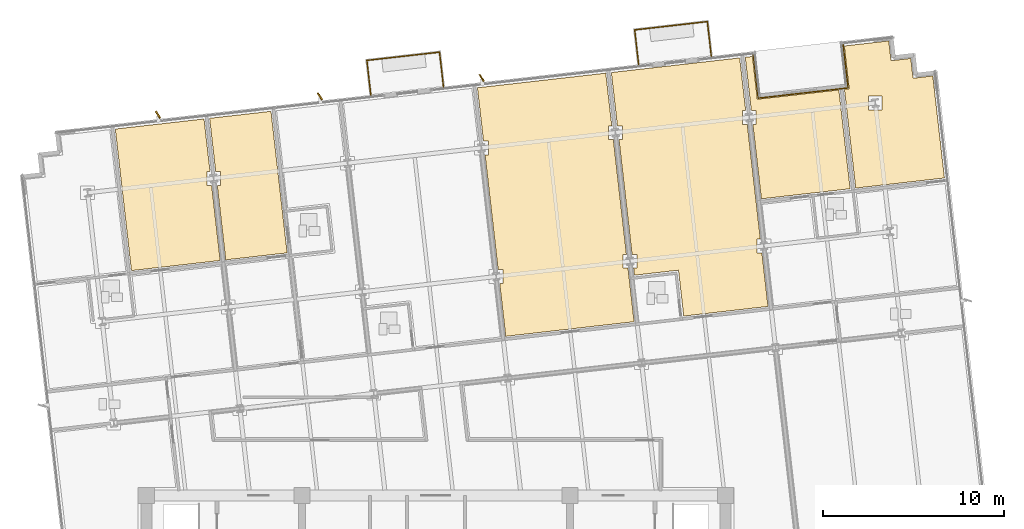
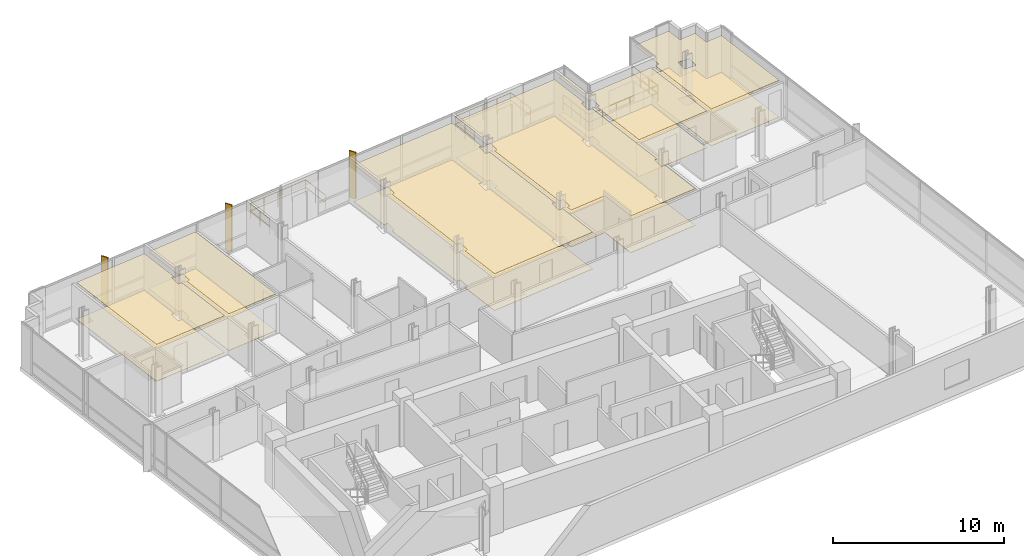
# One storey, part 15 of 16: 12 coverings, 9 railings, 3 shading devices.
"""IFC4 building model written with IfcOpenShell, lengths in metres."""

from ifc_helpers import new_model, si_unit, direction, frame, origin, origin_2d, place, context, subcontext, project, spatial, polyline, rectangle, circle, outline, extrude, material, layer, layer_set, type_object, element, save


model = new_model("IFC4")

# Units and contexts
model_context = context("Model", 3, precision=1e-05, world=origin(), true_north=direction((0.0, 1.0)))
body_context = subcontext(model_context, "Body", "Model", "MODEL_VIEW")
ifc_project = project(units=[si_unit("LENGTHUNIT", "METRE"), si_unit("AREAUNIT", "SQUARE_METRE"), si_unit("VOLUMEUNIT", "CUBIC_METRE"), si_unit("PLANEANGLEUNIT", "RADIAN"), si_unit("MASSUNIT", "GRAM", prefix="KILO")], contexts=[model_context])

# Site, building, storey
site_placement = place(None, origin())
site = spatial("IfcSite", under=ifc_project, at=site_placement, CompositionType="ELEMENT")
building_placement = place(site_placement, origin())
building = spatial("IfcBuilding", under=site, at=building_placement, Name="Solmavex Isthmus Hotel", CompositionType="ELEMENT")
storey_placement = place(building_placement, frame((0.0, 0.0, 219.300048828125)))
storey = spatial("IfcBuildingStorey", under=building, at=storey_placement, Name="L59", CompositionType="ELEMENT", Elevation=219.300048828125)

# Coverings
ifc_material_1 = material(Name="Gypsum plasterboard lining", Category="gypsum")
ifc_layer_1 = layer(ifc_material_1, 0.030029296875)
ifc_layer_set_1 = layer_set([ifc_layer_1], Name="Gypsum plasterboard lining")
covering_type_1 = type_object("IfcCoveringType", Name="COV-CEIL-GYP", PredefinedType="CEILING", material=ifc_layer_set_1)
covering_1_placement = place(storey_placement, frame((0.0, 0.0, 2.619873046875)))
element("IfcCovering", 1, at=covering_1_placement, inside=storey, type_object=covering_type_1, Name="Suspended Acoustic Ceiling L59-TL01", PredefinedType="CEILING", context=body_context, shape_type="SweptSolid", body=[
    extrude(outline(polyline([(-12.395751953125, 14.638427734375), (-12.6630859375, 14.638427734375), (-12.6630859375, 15.3984375), (-12.482421875, 15.3984375), (-12.8134765625, 18.304443359375), (-17.715576171875, 17.745849609375), (-16.824462890625, 9.924560546875), (-11.92236328125, 10.483154296875), (-12.395751953125, 14.638427734375)])), origin(), (0.0, 0.0, 1.0), 0.030029296875),
])
covering_2_placement = place(storey_placement, frame((0.0, 0.0, 2.619873046875)))
element("IfcCovering", 2, at=covering_2_placement, inside=storey, type_object=covering_type_1, Name="Suspended Acoustic Ceiling L59-SL02-BD", PredefinedType="CEILING", context=body_context, shape_type="SweptSolid", body=[
    extrude(outline(polyline([(-12.17041015625, 15.3984375), (-11.903076171875, 15.3984375), (-11.903076171875, 14.638427734375), (-12.083740234375, 14.638427734375), (-11.6142578125, 10.51806640625), (-8.22314453125, 10.904541015625), (-9.1142578125, 18.725830078125), (-12.50537109375, 18.339599609375), (-12.17041015625, 15.3984375)])), origin(), (0.0, 0.0, 1.0), 0.030029296875),
])
covering_3_placement = place(storey_placement, frame((0.0, 0.0, 2.619873046875)))
element("IfcCovering", 3, at=covering_3_placement, inside=storey, type_object=covering_type_1, Name="Suspended Acoustic Ceiling L59-RM04", PredefinedType="CEILING", context=body_context, shape_type="SweptSolid", body=[
    extrude(outline(polyline([(3.435546875, 9.978271484375), (3.702880859375, 9.978271484375), (3.702880859375, 9.21826171875), (3.522216796875, 9.21826171875), (3.855224609375, 6.294189453125), (10.945556640625, 7.10205078125), (10.6083984375, 10.06103515625), (10.341064453125, 10.06103515625), (10.341064453125, 10.821044921875), (10.521728515625, 10.821044921875), (9.798583984375, 17.167236328125), (9.531494140625, 17.167236328125), (9.531494140625, 17.92724609375), (9.712158203125, 17.92724609375), (9.381103515625, 20.833251953125), (2.290771484375, 20.025390625), (2.6259765625, 17.084228515625), (2.893310546875, 17.084228515625), (2.893310546875, 16.32421875), (2.712646484375, 16.32421875), (3.435546875, 9.978271484375)])), origin(), (0.0, 0.0, 1.0), 0.030029296875),
])
covering_4_placement = place(storey_placement, frame((0.0, 0.0, 2.619873046875)))
element("IfcCovering", 4, at=covering_4_placement, inside=storey, type_object=covering_type_1, Name="Suspended Acoustic Ceiling L59-RM05", PredefinedType="CEILING", context=body_context, shape_type="SweptSolid", body=[
    extrude(outline(polyline([(10.833740234375, 10.821044921875), (11.10107421875, 10.821044921875), (11.10107421875, 10.06103515625), (10.92041015625, 10.06103515625), (10.96484375, 9.670654296875), (13.399169921875, 9.947998046875), (13.687744140625, 7.41455078125), (18.343505859375, 7.945068359375), (18.006591796875, 10.904052734375), (17.7392578125, 10.904052734375), (17.7392578125, 11.6640625), (17.919921875, 11.6640625), (17.19677734375, 18.010009765625), (16.929443359375, 18.010009765625), (16.929443359375, 18.77001953125), (17.1103515625, 18.77001953125), (16.779052734375, 21.676025390625), (9.68896484375, 20.868408203125), (10.024169921875, 17.92724609375), (10.29150390625, 17.92724609375), (10.29150390625, 17.167236328125), (10.110595703125, 17.167236328125), (10.833740234375, 10.821044921875)])), origin(), (0.0, 0.0, 1.0), 0.030029296875),
])
covering_5_placement = place(storey_placement, frame((0.0, 0.0, 2.619873046875)))
element("IfcCovering", 5, at=covering_5_placement, inside=storey, type_object=covering_type_1, Name="Suspended Acoustic Ceiling L59-TB06", PredefinedType="CEILING", context=body_context, shape_type="SweptSolid", body=[
    extrude(outline(polyline([(17.42236328125, 18.77001953125), (17.689453125, 18.77001953125), (17.689453125, 18.010009765625), (17.5087890625, 18.010009765625), (17.978271484375, 13.889892578125), (22.880615234375, 14.4482421875), (22.2587890625, 19.905029296875), (17.751953125, 19.3916015625), (17.482666015625, 21.75634765625), (17.087158203125, 21.711181640625), (17.42236328125, 18.77001953125)])), origin(), (0.0, 0.0, 1.0), 0.030029296875),
])
covering_6_placement = place(storey_placement, frame((0.0, 0.0, 2.619873046875)))
element("IfcCovering", 6, at=covering_6_placement, inside=storey, type_object=covering_type_1, Name="Suspended Acoustic Ceiling L59-TL06", PredefinedType="CEILING", context=body_context, shape_type="SweptSolid", body=[
    extrude(outline(polyline([(22.559814453125, 22.334716796875), (22.8291015625, 19.969970703125), (22.56689453125, 19.940185546875), (23.1884765625, 14.4833984375), (28.0908203125, 15.0419921875), (27.542236328125, 19.85791015625), (27.44873046875, 20.677490234375), (26.35595703125, 20.552978515625), (26.231201171875, 21.64599609375), (25.138427734375, 21.521484375), (25.013916015625, 22.6142578125), (24.194091796875, 22.52099609375), (22.559814453125, 22.334716796875)]), holes=[polyline([(23.892578125, 19.5634765625), (24.652587890625, 19.5634765625), (24.652587890625, 18.803466796875), (23.892578125, 18.803466796875), (23.892578125, 19.5634765625)])]), origin(), (0.0, 0.0, 1.0), 0.030029296875),
])
ifc_material_2 = material(Name="Travertine natural stone", Category="masonry")
ifc_layer_2 = layer(ifc_material_2, 0.02490234375)
ifc_layer_set_2 = layer_set([ifc_layer_2], Name="Travertine natural stone")
covering_type_2 = type_object("IfcCoveringType", Name="COV-FLOR-STN", PredefinedType="FLOORING", material=ifc_layer_set_2)
covering_7_placement = place(storey_placement, origin())
element("IfcCovering", 7, at=covering_7_placement, inside=storey, type_object=covering_type_2, Name="Stone and Timber Floor Finish L59-TL01", PredefinedType="FLOORING", context=body_context, shape_type="SweptSolid", body=[
    extrude(outline(polyline([(-12.395751953125, 14.638427734375), (-12.6630859375, 14.638427734375), (-12.6630859375, 15.3984375), (-12.482421875, 15.3984375), (-12.8134765625, 18.304443359375), (-17.715576171875, 17.745849609375), (-16.824462890625, 9.924560546875), (-11.92236328125, 10.483154296875), (-12.395751953125, 14.638427734375)])), origin(), (0.0, 0.0, 1.0), 0.02490234375),
])
covering_8_placement = place(storey_placement, origin())
element("IfcCovering", 8, at=covering_8_placement, inside=storey, type_object=covering_type_2, Name="Stone and Timber Floor Finish L59-SL02-BD", PredefinedType="FLOORING", context=body_context, shape_type="SweptSolid", body=[
    extrude(outline(polyline([(-12.17041015625, 15.3984375), (-11.903076171875, 15.3984375), (-11.903076171875, 14.638427734375), (-12.083740234375, 14.638427734375), (-11.6142578125, 10.51806640625), (-8.22314453125, 10.904541015625), (-9.1142578125, 18.725830078125), (-12.50537109375, 18.339599609375), (-12.17041015625, 15.3984375)])), origin(), (0.0, 0.0, 1.0), 0.02490234375),
])
covering_9_placement = place(storey_placement, origin())
element("IfcCovering", 9, at=covering_9_placement, inside=storey, type_object=covering_type_2, Name="Stone and Timber Floor Finish L59-RM04", PredefinedType="FLOORING", context=body_context, shape_type="SweptSolid", body=[
    extrude(outline(polyline([(3.435546875, 9.978271484375), (3.702880859375, 9.978271484375), (3.702880859375, 9.21826171875), (3.522216796875, 9.21826171875), (3.855224609375, 6.294189453125), (10.945556640625, 7.10205078125), (10.6083984375, 10.06103515625), (10.341064453125, 10.06103515625), (10.341064453125, 10.821044921875), (10.521728515625, 10.821044921875), (9.798583984375, 17.167236328125), (9.531494140625, 17.167236328125), (9.531494140625, 17.92724609375), (9.712158203125, 17.92724609375), (9.381103515625, 20.833251953125), (2.290771484375, 20.025390625), (2.6259765625, 17.084228515625), (2.893310546875, 17.084228515625), (2.893310546875, 16.32421875), (2.712646484375, 16.32421875), (3.435546875, 9.978271484375)])), origin(), (0.0, 0.0, 1.0), 0.02490234375),
])
covering_10_placement = place(storey_placement, origin())
element("IfcCovering", 10, at=covering_10_placement, inside=storey, type_object=covering_type_2, Name="Stone and Timber Floor Finish L59-RM05", PredefinedType="FLOORING", context=body_context, shape_type="SweptSolid", body=[
    extrude(outline(polyline([(10.833740234375, 10.821044921875), (11.10107421875, 10.821044921875), (11.10107421875, 10.06103515625), (10.92041015625, 10.06103515625), (10.96484375, 9.670654296875), (13.399169921875, 9.947998046875), (13.687744140625, 7.41455078125), (18.343505859375, 7.945068359375), (18.006591796875, 10.904052734375), (17.7392578125, 10.904052734375), (17.7392578125, 11.6640625), (17.919921875, 11.6640625), (17.19677734375, 18.010009765625), (16.929443359375, 18.010009765625), (16.929443359375, 18.77001953125), (17.1103515625, 18.77001953125), (16.779052734375, 21.676025390625), (9.68896484375, 20.868408203125), (10.024169921875, 17.92724609375), (10.29150390625, 17.92724609375), (10.29150390625, 17.167236328125), (10.110595703125, 17.167236328125), (10.833740234375, 10.821044921875)])), origin(), (0.0, 0.0, 1.0), 0.02490234375),
])
covering_11_placement = place(storey_placement, origin())
element("IfcCovering", 11, at=covering_11_placement, inside=storey, type_object=covering_type_2, Name="Stone and Timber Floor Finish L59-TB06", PredefinedType="FLOORING", context=body_context, shape_type="SweptSolid", body=[
    extrude(outline(polyline([(17.42236328125, 18.77001953125), (17.689453125, 18.77001953125), (17.689453125, 18.010009765625), (17.5087890625, 18.010009765625), (17.978271484375, 13.889892578125), (22.880615234375, 14.4482421875), (22.2587890625, 19.905029296875), (17.751953125, 19.3916015625), (17.482666015625, 21.75634765625), (17.087158203125, 21.711181640625), (17.42236328125, 18.77001953125)])), origin(), (0.0, 0.0, 1.0), 0.02490234375),
])
covering_12_placement = place(storey_placement, origin())
element("IfcCovering", 12, at=covering_12_placement, inside=storey, type_object=covering_type_2, Name="Stone and Timber Floor Finish L59-TL06", PredefinedType="FLOORING", context=body_context, shape_type="SweptSolid", body=[
    extrude(outline(polyline([(22.559814453125, 22.334716796875), (22.8291015625, 19.969970703125), (22.56689453125, 19.940185546875), (23.1884765625, 14.4833984375), (28.0908203125, 15.0419921875), (27.542236328125, 19.85791015625), (27.44873046875, 20.677490234375), (26.35595703125, 20.552978515625), (26.231201171875, 21.64599609375), (25.138427734375, 21.521484375), (25.013916015625, 22.6142578125), (24.194091796875, 22.52099609375), (22.559814453125, 22.334716796875)]), holes=[polyline([(23.892578125, 19.5634765625), (24.652587890625, 19.5634765625), (24.652587890625, 18.803466796875), (23.892578125, 18.803466796875), (23.892578125, 19.5634765625)])]), origin(), (0.0, 0.0, 1.0), 0.02490234375),
])

# Railings
ifc_material_3 = material(Name="Clear low-E laminated glass", Category="glass")
ifc_layer_3 = layer(ifc_material_3, 0.080078125)
ifc_layer_set_3 = layer_set([ifc_layer_3], Name="Clear low-E laminated glass")
railing_type_1 = type_object("IfcRailingType", Name="RAIL-ATRIUM-1120", PredefinedType="BALUSTRADE", material=ifc_layer_set_3)
railing_1_placement = place(storey_placement, frame((17.51513671875, 21.956298828125, 0.0)))
element("IfcRailing", 13, at=railing_1_placement, inside=storey, type_object=railing_type_1, Name="Guardrail Balustrade L59-SGV-01", PredefinedType="BALUSTRADE", context=body_context, shape_type="SweptSolid", body=[
    extrude(circle(Radius=0.02392578125, at=origin_2d()), frame((0.0, 0.0, 1.1259765625), z_axis=(0.113248774357, -0.993566663645, 0.0), x_axis=(0.993566663645, 0.113248774357, 0.0)), (0.0, 0.0, 1.0), 2.52001953125),
    extrude(circle(Radius=0.02392578125, at=origin_2d()), frame((0.0, 0.0, 0.574951171875), z_axis=(0.113248774357, -0.993566663645, 0.0), x_axis=(0.993566663645, 0.113248774357, 0.0)), (0.0, 0.0, 1.0), 2.52001953125),
    extrude(circle(Radius=0.02099609375, at=origin_2d()), origin(), (0.0, 0.0, 1.0), 1.101806640625),
    extrude(circle(Radius=0.02099609375, at=origin_2d()), frame((0.09521484375, -0.834716796875, 0.0)), (0.0, 0.0, 1.0), 1.101806640625),
    extrude(circle(Radius=0.02099609375, at=origin_2d()), frame((0.190185546875, -1.669189453125, 0.0)), (0.0, 0.0, 1.0), 1.101806640625),
    extrude(circle(Radius=0.02099609375, at=origin_2d()), frame((0.285400390625, -2.50390625, 0.0)), (0.0, 0.0, 1.0), 1.101806640625),
])
railing_2_placement = place(storey_placement, frame((17.800537109375, 19.452392578125, 0.0)))
element("IfcRailing", 14, at=railing_2_placement, inside=storey, type_object=railing_type_1, Name="Guardrail Balustrade L59-SGV-02", PredefinedType="BALUSTRADE", context=body_context, shape_type="SweptSolid", body=[
    extrude(circle(Radius=0.02392578125, at=origin_2d()), frame((0.0, 0.0, 1.1259765625), z_axis=(0.993568349945, 0.113233978943, 0.0), x_axis=(-0.113233978943, 0.993568349945, 0.0)), (0.0, 0.0, 1.0), 5.0),
    extrude(circle(Radius=0.02392578125, at=origin_2d()), frame((0.0, 0.0, 0.574951171875), z_axis=(0.993568349945, 0.113233978943, 0.0), x_axis=(-0.113233978943, 0.993568349945, 0.0)), (0.0, 0.0, 1.0), 5.0),
    extrude(circle(Radius=0.02099609375, at=origin_2d()), origin(), (0.0, 0.0, 1.0), 1.101806640625),
    extrude(circle(Radius=0.02099609375, at=origin_2d()), frame((0.99365234375, 0.11328125, 0.0)), (0.0, 0.0, 1.0), 1.101806640625),
    extrude(circle(Radius=0.02099609375, at=origin_2d()), frame((1.987060546875, 0.2265625, 0.0)), (0.0, 0.0, 1.0), 1.101806640625),
    extrude(circle(Radius=0.02099609375, at=origin_2d()), frame((2.980712890625, 0.339599609375, 0.0)), (0.0, 0.0, 1.0), 1.101806640625),
    extrude(circle(Radius=0.02099609375, at=origin_2d()), frame((3.97412109375, 0.452880859375, 0.0)), (0.0, 0.0, 1.0), 1.101806640625),
    extrude(circle(Radius=0.02099609375, at=origin_2d()), frame((4.9677734375, 0.566162109375, 0.0)), (0.0, 0.0, 1.0), 1.101806640625),
])
railing_3_placement = place(storey_placement, frame((22.768310546875, 20.0185546875, 0.0)))
element("IfcRailing", 15, at=railing_3_placement, inside=storey, type_object=railing_type_1, Name="Guardrail Balustrade L59-SGV-03", PredefinedType="BALUSTRADE", context=body_context, shape_type="SweptSolid", body=[
    extrude(circle(Radius=0.02392578125, at=origin_2d()), frame((0.0, 0.0, 1.1259765625), z_axis=(-0.113259675977, 0.993565420995, 0.0), x_axis=(-0.993565420995, -0.113259675977, 0.0)), (0.0, 0.0, 1.0), 2.519775390625),
    extrude(circle(Radius=0.02392578125, at=origin_2d()), frame((0.0, 0.0, 0.574951171875), z_axis=(-0.113259675977, 0.993565420995, 0.0), x_axis=(-0.993565420995, -0.113259675977, 0.0)), (0.0, 0.0, 1.0), 2.519775390625),
    extrude(circle(Radius=0.02099609375, at=origin_2d()), origin(), (0.0, 0.0, 1.0), 1.101806640625),
    extrude(circle(Radius=0.02099609375, at=origin_2d()), frame((-0.09521484375, 0.83447265625, 0.0)), (0.0, 0.0, 1.0), 1.101806640625),
    extrude(circle(Radius=0.02099609375, at=origin_2d()), frame((-0.190185546875, 1.669189453125, 0.0)), (0.0, 0.0, 1.0), 1.101806640625),
    extrude(circle(Radius=0.02099609375, at=origin_2d()), frame((-0.285400390625, 2.503662109375, 0.0)), (0.0, 0.0, 1.0), 1.101806640625),
])
ifc_layer_4 = layer(ifc_material_3, 0.070068359375)
ifc_layer_set_4 = layer_set([ifc_layer_4], Name="Clear low-E laminated glass")
railing_type_2 = type_object("IfcRailingType", Name="RAIL-GUARD-1100", PredefinedType="BALUSTRADE", material=ifc_layer_set_4)
railing_4_placement = place(storey_placement, frame((-3.600341796875, 19.630859375, 0.0)))
element("IfcRailing", 16, at=railing_4_placement, inside=storey, type_object=railing_type_2, Name="Guardrail Balustrade L59-BAL1-01", PredefinedType="BALUSTRADE", context=body_context, shape_type="SweptSolid", body=[
    extrude(circle(Radius=0.02392578125, at=origin_2d()), frame((0.0, 0.0, 1.09619140625), z_axis=(-0.113166454875, 0.993576043135, 0.0), x_axis=(-0.993576043135, -0.113166454875, 0.0)), (0.0, 0.0, 1.0), 1.920166015625),
    extrude(circle(Radius=0.02392578125, at=origin_2d()), frame((0.0, 0.0, 0.56005859375), z_axis=(-0.113166454875, 0.993576043135, 0.0), x_axis=(-0.993576043135, -0.113166454875, 0.0)), (0.0, 0.0, 1.0), 1.920166015625),
    extrude(circle(Radius=0.02099609375, at=origin_2d()), origin(), (0.0, 0.0, 1.0), 1.072021484375),
    extrude(circle(Radius=0.02099609375, at=origin_2d()), frame((-0.108642578125, 0.953857421875, 0.0)), (0.0, 0.0, 1.0), 1.072021484375),
    extrude(circle(Radius=0.02099609375, at=origin_2d()), frame((-0.21728515625, 1.90771484375, 0.0)), (0.0, 0.0, 1.0), 1.072021484375),
])
railing_5_placement = place(storey_placement, frame((-3.817626953125, 21.53857421875, 0.0)))
element("IfcRailing", 17, at=railing_5_placement, inside=storey, type_object=railing_type_2, Name="Guardrail Balustrade L59-BAL1-02", PredefinedType="BALUSTRADE", context=body_context, shape_type="SweptSolid", body=[
    extrude(circle(Radius=0.02392578125, at=origin_2d()), frame((0.0, 0.0, 1.09619140625), z_axis=(0.993573319275, 0.113190367192, 0.0), x_axis=(-0.113190367192, 0.993573319275, 0.0)), (0.0, 0.0, 1.0), 4.039794921875),
    extrude(circle(Radius=0.02392578125, at=origin_2d()), frame((0.0, 0.0, 0.56005859375), z_axis=(0.993573319275, 0.113190367192, 0.0), x_axis=(-0.113190367192, 0.993573319275, 0.0)), (0.0, 0.0, 1.0), 4.039794921875),
    extrude(circle(Radius=0.02099609375, at=origin_2d()), origin(), (0.0, 0.0, 1.0), 1.072021484375),
    extrude(circle(Radius=0.02099609375, at=origin_2d()), frame((1.00341796875, 0.1142578125, 0.0)), (0.0, 0.0, 1.0), 1.072021484375),
    extrude(circle(Radius=0.02099609375, at=origin_2d()), frame((2.0068359375, 0.228515625, 0.0)), (0.0, 0.0, 1.0), 1.072021484375),
    extrude(circle(Radius=0.02099609375, at=origin_2d()), frame((3.010498046875, 0.343017578125, 0.0)), (0.0, 0.0, 1.0), 1.072021484375),
    extrude(circle(Radius=0.02099609375, at=origin_2d()), frame((4.013916015625, 0.457275390625, 0.0)), (0.0, 0.0, 1.0), 1.072021484375),
])
railing_6_placement = place(storey_placement, frame((0.1962890625, 21.995849609375, 0.0)))
element("IfcRailing", 18, at=railing_6_placement, inside=storey, type_object=railing_type_2, Name="Guardrail Balustrade L59-BAL1-03", PredefinedType="BALUSTRADE", context=body_context, shape_type="SweptSolid", body=[
    extrude(circle(Radius=0.02392578125, at=origin_2d()), frame((0.0, 0.0, 1.09619140625), z_axis=(0.113180753722, -0.993574414418, 0.0), x_axis=(0.993574414418, 0.113180753722, 0.0)), (0.0, 0.0, 1.0), 1.919921875),
    extrude(circle(Radius=0.02392578125, at=origin_2d()), frame((0.0, 0.0, 0.56005859375), z_axis=(0.113180753722, -0.993574414418, 0.0), x_axis=(0.993574414418, 0.113180753722, 0.0)), (0.0, 0.0, 1.0), 1.919921875),
    extrude(circle(Radius=0.02099609375, at=origin_2d()), origin(), (0.0, 0.0, 1.0), 1.072021484375),
    extrude(circle(Radius=0.02099609375, at=origin_2d()), frame((0.108642578125, -0.95361328125, 0.0)), (0.0, 0.0, 1.0), 1.072021484375),
    extrude(circle(Radius=0.02099609375, at=origin_2d()), frame((0.21728515625, -1.907470703125, 0.0)), (0.0, 0.0, 1.0), 1.072021484375),
])
railing_7_placement = place(storey_placement, frame((11.196044921875, 21.31689453125, 0.0)))
element("IfcRailing", 19, at=railing_7_placement, inside=storey, type_object=railing_type_2, Name="Guardrail Balustrade L59-BAL2-01", PredefinedType="BALUSTRADE", context=body_context, shape_type="SweptSolid", body=[
    extrude(circle(Radius=0.02392578125, at=origin_2d()), frame((0.0, 0.0, 1.09619140625), z_axis=(-0.113306291372, 0.993560106051, 0.0), x_axis=(-0.993560106051, -0.113306291372, 0.0)), (0.0, 0.0, 1.0), 1.919921875),
    extrude(circle(Radius=0.02392578125, at=origin_2d()), frame((0.0, 0.0, 0.56005859375), z_axis=(-0.113306291372, 0.993560106051, 0.0), x_axis=(-0.993560106051, -0.113306291372, 0.0)), (0.0, 0.0, 1.0), 1.919921875),
    extrude(circle(Radius=0.02099609375, at=origin_2d()), origin(), (0.0, 0.0, 1.0), 1.072021484375),
    extrude(circle(Radius=0.02099609375, at=origin_2d()), frame((-0.10888671875, 0.95361328125, 0.0)), (0.0, 0.0, 1.0), 1.072021484375),
    extrude(circle(Radius=0.02099609375, at=origin_2d()), frame((-0.217529296875, 1.907470703125, 0.0)), (0.0, 0.0, 1.0), 1.072021484375),
])
railing_8_placement = place(storey_placement, frame((10.978515625, 23.224365234375, 0.0)))
element("IfcRailing", 20, at=railing_8_placement, inside=storey, type_object=railing_type_2, Name="Guardrail Balustrade L59-BAL2-02", PredefinedType="BALUSTRADE", context=body_context, shape_type="SweptSolid", body=[
    extrude(circle(Radius=0.02392578125, at=origin_2d()), frame((0.0, 0.0, 1.09619140625), z_axis=(0.993567296105, 0.113243225453, 0.0), x_axis=(-0.113243225453, 0.993567296105, 0.0)), (0.0, 0.0, 1.0), 4.0400390625),
    extrude(circle(Radius=0.02392578125, at=origin_2d()), frame((0.0, 0.0, 0.56005859375), z_axis=(0.993567296105, 0.113243225453, 0.0), x_axis=(-0.113243225453, 0.993567296105, 0.0)), (0.0, 0.0, 1.0), 4.0400390625),
    extrude(circle(Radius=0.02099609375, at=origin_2d()), origin(), (0.0, 0.0, 1.0), 1.072021484375),
    extrude(circle(Radius=0.02099609375, at=origin_2d()), frame((1.00341796875, 0.1142578125, 0.0)), (0.0, 0.0, 1.0), 1.072021484375),
    extrude(circle(Radius=0.02099609375, at=origin_2d()), frame((2.007080078125, 0.228759765625, 0.0)), (0.0, 0.0, 1.0), 1.072021484375),
    extrude(circle(Radius=0.02099609375, at=origin_2d()), frame((3.0107421875, 0.34326171875, 0.0)), (0.0, 0.0, 1.0), 1.072021484375),
    extrude(circle(Radius=0.02099609375, at=origin_2d()), frame((4.01416015625, 0.45751953125, 0.0)), (0.0, 0.0, 1.0), 1.072021484375),
])
railing_9_placement = place(storey_placement, frame((14.99267578125, 23.681884765625, 0.0)))
element("IfcRailing", 21, at=railing_9_placement, inside=storey, type_object=railing_type_2, Name="Guardrail Balustrade L59-BAL2-03", PredefinedType="BALUSTRADE", context=body_context, shape_type="SweptSolid", body=[
    extrude(circle(Radius=0.02392578125, at=origin_2d()), frame((0.0, 0.0, 1.09619140625), z_axis=(0.113166454875, -0.993576043135, 0.0), x_axis=(0.993576043135, 0.113166454875, 0.0)), (0.0, 0.0, 1.0), 1.920166015625),
    extrude(circle(Radius=0.02392578125, at=origin_2d()), frame((0.0, 0.0, 0.56005859375), z_axis=(0.113166454875, -0.993576043135, 0.0), x_axis=(0.993576043135, 0.113166454875, 0.0)), (0.0, 0.0, 1.0), 1.920166015625),
    extrude(circle(Radius=0.02099609375, at=origin_2d()), origin(), (0.0, 0.0, 1.0), 1.072021484375),
    extrude(circle(Radius=0.02099609375, at=origin_2d()), frame((0.108642578125, -0.953857421875, 0.0)), (0.0, 0.0, 1.0), 1.072021484375),
    extrude(circle(Radius=0.02099609375, at=origin_2d()), frame((0.21728515625, -1.90771484375, 0.0)), (0.0, 0.0, 1.0), 1.072021484375),
])

# Shading devices
ifc_material_4 = material(Name="Aluminium alloy 6063-T6", Category="aluminium")
shading_device_type = type_object("IfcShadingDeviceType", Name="SHD-FIN-BRONZE", PredefinedType="USERDEFINED", material=ifc_material_4)
for number, where, z_axis, x_axis, name in (
    (22, (-15.358642578125, 18.53271484375, -0.14013671875), (0.0, 0.0, 1.0), (-0.537299608347, 0.843391445813, 0.0), "Anodised Aluminium Solar Fin L59-N1"),
    (23, (-6.41650390625, 19.5517578125, -0.14013671875), (0.0, 0.0, 1.0), (-0.537299608347, 0.843391445813, 0.0), "Anodised Aluminium Solar Fin L59-N2"),
    (24, (2.525634765625, 20.570556640625, -0.14013671875), (0.0, 0.0, 1.0), (-0.537299608347, 0.843391445813, 0.0), "Anodised Aluminium Solar Fin L59-N3"),
):
    element("IfcShadingDevice", number, at=place(storey_placement, frame(where, z_axis=z_axis, x_axis=x_axis)), inside=storey, type_object=shading_device_type, Name=name, ObjectType="SOLAR_FIN", PredefinedType="USERDEFINED", context=body_context, shape_type="SweptSolid", body=[
        extrude(rectangle(XDim=0.449951171875, YDim=0.080078125, at=origin_2d()), origin(), (0.0, 0.0, 1.0), 3.330078125),
    ])

save(model, "model.ifc")
